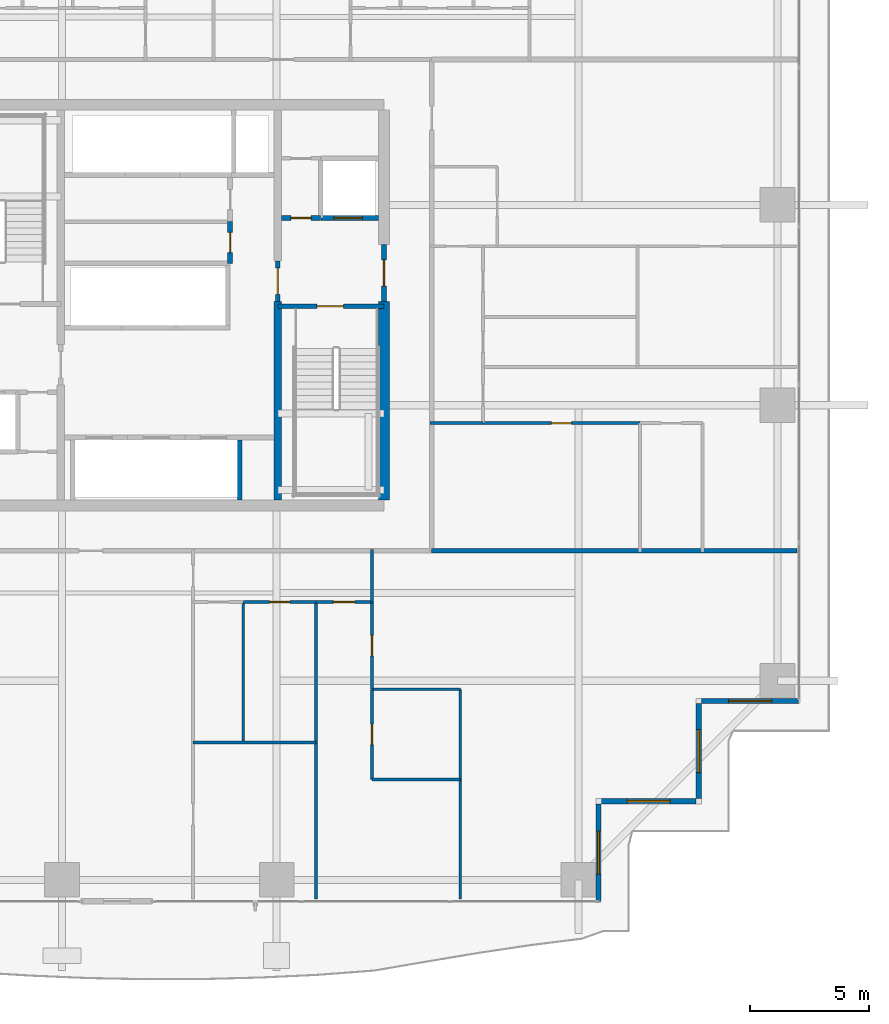
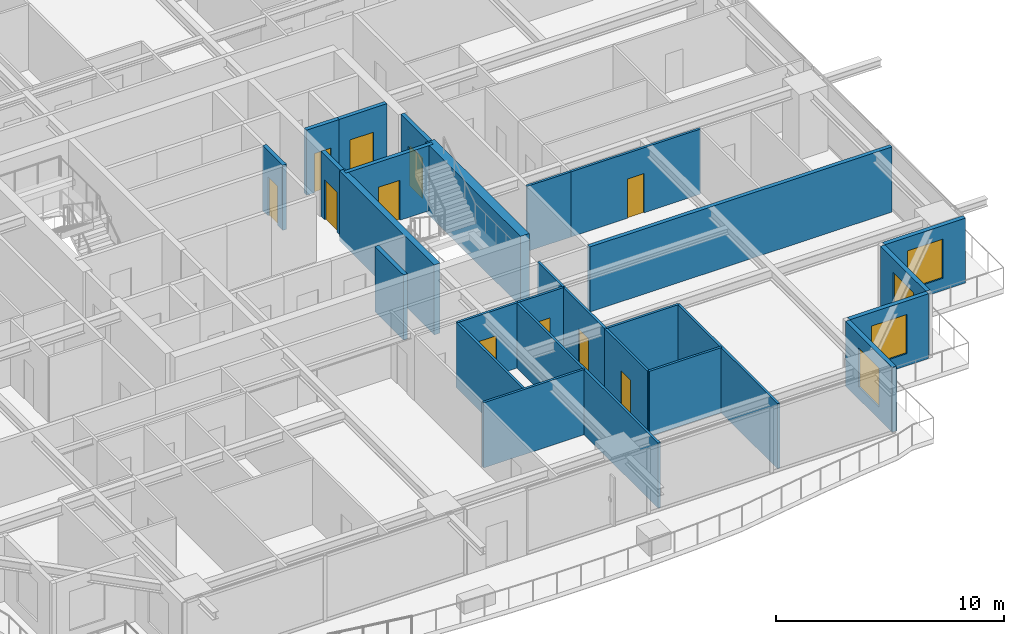
# One storey, part 29 of 41: 27 walls, 11 doors, 4 windows, 15 openings.
"""IFC4 building model written with IfcOpenShell, lengths in metres."""

from ifc_helpers import new_model, si_unit, direction, frame, frame_2d, origin, place, context, subcontext, project, spatial, rectangle, extrude, source, transform, mapped, material, layer, layer_set, type_object, element, fill, save


model = new_model("IFC4")

# Units and contexts
model_context = context("Model", 3, precision=1e-05, world=origin(), true_north=direction((0.0, 1.0)))
body_context = subcontext(model_context, "Body", "Model", "MODEL_VIEW")
ifc_project = project(units=[si_unit("LENGTHUNIT", "METRE"), si_unit("AREAUNIT", "SQUARE_METRE"), si_unit("VOLUMEUNIT", "CUBIC_METRE"), si_unit("PLANEANGLEUNIT", "RADIAN"), si_unit("MASSUNIT", "GRAM", prefix="KILO")], contexts=[model_context])

# Site, building, storey
site_placement = place(None, origin())
site = spatial("IfcSite", under=ifc_project, at=site_placement, CompositionType="ELEMENT")
building_placement = place(site_placement, origin())
building = spatial("IfcBuilding", under=site, at=building_placement, Name="Serunith Strait Residences", CompositionType="ELEMENT")
storey_placement = place(building_placement, frame((0.0, 0.0, 75.449951171875)))
storey = spatial("IfcBuildingStorey", under=building, at=storey_placement, Name="L18", CompositionType="ELEMENT", Elevation=75.449951171875)

# Wall, opening, window
ifc_material_1 = material(Name="Pale-Champagne Aluminium Insulated Panel", Category="aluminium")
ifc_layer_1 = layer(ifc_material_1, 0.219970703125, Name="Pale-Champagne Aluminium Insulated Panel")
ifc_layer_set_1 = layer_set([ifc_layer_1], Name="Pale-Champagne Aluminium Insulated Panel")
wall_type_1 = type_object("IfcWallType", Name="EW-ALUM-220", PredefinedType="ELEMENTEDWALL", material=ifc_layer_set_1)
wall_1_placement = place(storey_placement, frame((50.39990234375, 0.199951171875, 0.0), z_axis=(0.0, 0.0, 1.0), x_axis=(0.0, 1.0, 0.0)))
wall_1 = element("IfcWall", 1, at=wall_1_placement, inside=storey, type_object=wall_type_1, Name="L18 Girih Serrated Corner Wall 02", PredefinedType="ELEMENTEDWALL", context=body_context, shape_type="SweptSolid", body=[
    extrude(rectangle(XDim=4.090087890625, YDim=0.219970703125, at=frame_2d((2.044921875, 0.0))), origin(), (0.0, 0.0, 1.0), 3.47509765625),
])
opening_1_placement = place(wall_1_placement, frame((1.14501953125, 0.0, 0.64990234375)))
opening_1 = element("IfcOpeningElement", 2, at=opening_1_placement, cuts=wall_1, Name="Opening W-01", PredefinedType="OPENING", context=body_context, shape_type="SweptSolid", body=[
    extrude(rectangle(XDim=1.800048828125, YDim=2.10009765625, at=frame_2d((0.89990234375, 1.050048828125))), frame((0.0, 0.1201171875, 0.0), z_axis=(0.0, -1.0, 0.0), x_axis=(1.0, 0.0, 0.0)), (0.0, 0.0, 1.0), 0.239990234375),
])
ifc_material_2 = material(Name="Ceramic-Fritted Operable Aluminium Window Glass", Category="aluminium")
window_type = type_object("IfcWindowType", Name="WIN-C1", PartitioningType="DOUBLE_PANEL_VERTICAL", PredefinedType="WINDOW", material=ifc_material_2)
shared_shape_1 = source(origin(), body_context, "Body", "SweptSolid", [
    extrude(rectangle(XDim=1.800048828125, YDim=2.10009765625, at=frame_2d((0.89990234375, 1.050048828125))), frame((0.0, 0.030029296875, 0.0), z_axis=(0.0, -1.0, 0.0), x_axis=(1.0, 0.0, 0.0)), (0.0, 0.0, 1.0), 0.06005859375),
])
window_1_placement = place(opening_1_placement, origin())
window_1 = element("IfcWindow", 3, at=window_1_placement, inside=storey, type_object=window_type, Name="L18 Corner Operable Fritted Window 02", OverallHeight=2.10009765625, OverallWidth=1.800048828125, PartitioningType="SINGLE_PANEL", PredefinedType="WINDOW", context=body_context, shape_type="MappedRepresentation", body=[
    mapped(shared_shape_1, transform((0.0, 0.0, 0.0), scale=1.0)),
])
fill(opening_1, window_1)

wall_2_placement = place(storey_placement, frame((50.510009765625, 4.39990234375, 0.0), z_axis=(0.0, 0.0, 1.0), x_axis=(1.0, 0.0, 0.0)))
wall_2 = element("IfcWall", 4, at=wall_2_placement, inside=storey, type_object=wall_type_1, Name="L18 Girih Serrated Corner Wall 03", PredefinedType="ELEMENTEDWALL", context=body_context, shape_type="SweptSolid", body=[
    extrude(rectangle(XDim=3.97998046875, YDim=0.219970703125, at=frame_2d((1.989990234375, 0.0))), origin(), (0.0, 0.0, 1.0), 3.47509765625),
])
opening_2_placement = place(wall_2_placement, frame((1.090087890625, 0.0, 0.64990234375)))
opening_2 = element("IfcOpeningElement", 5, at=opening_2_placement, cuts=wall_2, Name="Opening W-01", PredefinedType="OPENING", context=body_context, shape_type="SweptSolid", body=[
    extrude(rectangle(XDim=1.800048828125, YDim=2.10009765625, at=frame_2d((0.89990234375, 1.050048828125))), frame((0.0, 0.1201171875, 0.0), z_axis=(0.0, -1.0, 0.0), x_axis=(1.0, 0.0, 0.0)), (0.0, 0.0, 1.0), 0.239990234375),
])
window_2_placement = place(opening_2_placement, origin())
window_2 = element("IfcWindow", 6, at=window_2_placement, inside=storey, type_object=window_type, Name="L18 Corner Operable Fritted Window 03", OverallHeight=2.10009765625, OverallWidth=1.800048828125, PartitioningType="SINGLE_PANEL", PredefinedType="WINDOW", context=body_context, shape_type="MappedRepresentation", body=[
    mapped(shared_shape_1, transform((0.0, 0.0, 0.0), scale=1.0)),
])
fill(opening_2, window_2)

wall_3_placement = place(storey_placement, frame((54.60009765625, 4.510009765625, 0.0), z_axis=(0.0, 0.0, 1.0), x_axis=(0.0, 1.0, 0.0)))
wall_3 = element("IfcWall", 7, at=wall_3_placement, inside=storey, type_object=wall_type_1, Name="L18 Girih Serrated Corner Wall 04", PredefinedType="ELEMENTEDWALL", context=body_context, shape_type="SweptSolid", body=[
    extrude(rectangle(XDim=3.97998046875, YDim=0.219970703125, at=frame_2d((1.989990234375, 0.0))), origin(), (0.0, 0.0, 1.0), 3.47509765625),
])
opening_3_placement = place(wall_3_placement, frame((1.090087890625, 0.0, 0.64990234375)))
opening_3 = element("IfcOpeningElement", 8, at=opening_3_placement, cuts=wall_3, Name="Opening W-01", PredefinedType="OPENING", context=body_context, shape_type="SweptSolid", body=[
    extrude(rectangle(XDim=1.800048828125, YDim=2.10009765625, at=frame_2d((0.89990234375, 1.050048828125))), frame((0.0, 0.1201171875, 0.0), z_axis=(0.0, -1.0, 0.0), x_axis=(1.0, 0.0, 0.0)), (0.0, 0.0, 1.0), 0.239990234375),
])
window_3_placement = place(opening_3_placement, origin())
window_3 = element("IfcWindow", 9, at=window_3_placement, inside=storey, type_object=window_type, Name="L18 Corner Operable Fritted Window 04", OverallHeight=2.10009765625, OverallWidth=1.800048828125, PartitioningType="SINGLE_PANEL", PredefinedType="WINDOW", context=body_context, shape_type="MappedRepresentation", body=[
    mapped(shared_shape_1, transform((0.0, 0.0, 0.0), scale=1.0)),
])
fill(opening_3, window_3)

wall_4_placement = place(storey_placement, frame((54.7099609375, 8.60009765625, 0.0), z_axis=(0.0, 0.0, 1.0), x_axis=(1.0, 0.0, 0.0)))
wall_4 = element("IfcWall", 10, at=wall_4_placement, inside=storey, type_object=wall_type_1, Name="L18 Girih Serrated Corner Wall 05", PredefinedType="ELEMENTEDWALL", context=body_context, shape_type="SweptSolid", body=[
    extrude(rectangle(XDim=4.090087890625, YDim=0.219970703125, at=frame_2d((2.044921875, 0.0))), origin(), (0.0, 0.0, 1.0), 3.47509765625),
])
opening_4_placement = place(wall_4_placement, frame((1.14501953125, 0.0, 0.64990234375)))
opening_4 = element("IfcOpeningElement", 11, at=opening_4_placement, cuts=wall_4, Name="Opening W-01", PredefinedType="OPENING", context=body_context, shape_type="SweptSolid", body=[
    extrude(rectangle(XDim=1.800048828125, YDim=2.10009765625, at=frame_2d((0.89990234375, 1.050048828125))), frame((0.0, 0.1201171875, 0.0), z_axis=(0.0, -1.0, 0.0), x_axis=(1.0, 0.0, 0.0)), (0.0, 0.0, 1.0), 0.239990234375),
])
window_4_placement = place(opening_4_placement, origin())
window_4 = element("IfcWindow", 12, at=window_4_placement, inside=storey, type_object=window_type, Name="L18 Corner Operable Fritted Window 05", OverallHeight=2.10009765625, OverallWidth=1.800048828125, PartitioningType="SINGLE_PANEL", PredefinedType="WINDOW", context=body_context, shape_type="MappedRepresentation", body=[
    mapped(shared_shape_1, transform((0.0, 0.0, 0.0), scale=1.0)),
])
fill(opening_4, window_4)

# Walls
ifc_material_3 = material(Name="Lightweight steel-stud gypsum partition", Category="steel")
ifc_layer_2 = layer(ifc_material_3, 0.1201171875, Name="Lightweight steel-stud gypsum partition")
ifc_layer_set_2 = layer_set([ifc_layer_2], Name="Lightweight steel-stud gypsum partition")
wall_type_2 = type_object("IfcWallType", Name="IW-PART-120", PredefinedType="PARTITIONING", material=ifc_layer_set_2)
wall_5_placement = place(storey_placement, frame((33.39990234375, 6.860107421875, 0.0), z_axis=(0.0, 0.0, 1.0), x_axis=(1.0, 0.0, 0.0)))
element("IfcWall", 13, at=wall_5_placement, inside=storey, type_object=wall_type_2, Name="L18 Partition Wall 043", PredefinedType="PARTITIONING", context=body_context, shape_type="SweptSolid", body=[
    extrude(rectangle(XDim=5.150146484375, YDim=0.1201171875, at=frame_2d((2.5751953125, 0.0))), origin(), (0.0, 0.0, 1.0), 3.489990234375),
])
wall_6_placement = place(storey_placement, frame((38.550048828125, 0.294921875, 0.0), z_axis=(0.0, 0.0, 1.0), x_axis=(0.0, 1.0, 0.0)))
element("IfcWall", 14, at=wall_6_placement, inside=storey, type_object=wall_type_2, Name="L18 Partition Wall 044", PredefinedType="PARTITIONING", context=body_context, shape_type="SweptSolid", body=[
    extrude(rectangle(XDim=12.455078125, YDim=0.1201171875, at=frame_2d((6.2275390625, 0.0))), origin(), (0.0, 0.0, 1.0), 3.489990234375),
])
wall_7_placement = place(storey_placement, frame((35.5, 6.860107421875, 0.0), z_axis=(0.0, 0.0, 1.0), x_axis=(0.0, 1.0, 0.0)))
element("IfcWall", 15, at=wall_7_placement, inside=storey, type_object=wall_type_2, Name="L18 Partition Wall 045", PredefinedType="PARTITIONING", context=body_context, shape_type="SweptSolid", body=[
    extrude(rectangle(XDim=5.889892578125, YDim=0.1201171875, at=frame_2d((2.94482421875, 0.0))), origin(), (0.0, 0.0, 1.0), 3.489990234375),
])

# Wall, opening, door
wall_8_placement = place(storey_placement, frame((35.501953125, 12.75, 0.0), z_axis=(0.0, 0.0, 1.0), x_axis=(1.0, 0.0, 0.0)))
wall_8 = element("IfcWall", 16, at=wall_8_placement, inside=storey, type_object=wall_type_2, Name="L18 Partition Wall 047", PredefinedType="PARTITIONING", context=body_context, shape_type="SweptSolid", body=[
    extrude(rectangle(XDim=3.048095703125, YDim=0.1201171875, at=frame_2d((1.52392578125, 0.0))), origin(), (0.0, 0.0, 1.0), 3.489990234375),
])
opening_5_placement = place(wall_8_placement, frame((1.09912109375, 0.0, 0.0)))
opening_5 = element("IfcOpeningElement", 17, at=opening_5_placement, cuts=wall_8, Name="Opening D-RM850", PredefinedType="OPENING", context=body_context, shape_type="SweptSolid", body=[
    extrude(rectangle(XDim=0.85009765625, YDim=2.10009765625, at=frame_2d((0.425048828125, 1.050048828125))), frame((0.0, 0.070068359375, 0.0), z_axis=(0.0, -1.0, 0.0), x_axis=(1.0, 0.0, 0.0)), (0.0, 0.0, 1.0), 0.14013671875),
])
ifc_material_4 = material(Name="Engineered timber flush study and kitchen door", Category="wood")
door_type_1 = type_object("IfcDoorType", Name="ID-ROOM-850", OperationType="NOTDEFINED", PredefinedType="DOOR", material=ifc_material_4)
shared_shape_2 = source(origin(), body_context, "Body", "SweptSolid", [
    extrude(rectangle(XDim=0.85009765625, YDim=2.10009765625, at=frame_2d((0.425048828125, 1.050048828125))), frame((0.0, 0.02490234375, 0.0), z_axis=(0.0, -1.0, 0.0), x_axis=(1.0, 0.0, 0.0)), (0.0, 0.0, 1.0), 0.050048828125),
])
door_1_placement = place(opening_5_placement, origin())
door_1 = element("IfcDoor", 18, at=door_1_placement, inside=storey, type_object=door_type_1, Name="L18 Formal Dining Room 1801 Door", OperationType="SINGLE_SWING_RIGHT", OverallHeight=2.10009765625, OverallWidth=0.85009765625, PredefinedType="DOOR", context=body_context, shape_type="MappedRepresentation", body=[
    mapped(shared_shape_2, transform((0.0, 0.0, 0.0), scale=1.0)),
])
fill(opening_5, door_1)

wall_9_placement = place(storey_placement, frame((38.552001953125, 12.75, 0.0), z_axis=(0.0, 0.0, 1.0), x_axis=(1.0, 0.0, 0.0)))
wall_9 = element("IfcWall", 19, at=wall_9_placement, inside=storey, type_object=wall_type_2, Name="L18 Partition Wall 048", PredefinedType="PARTITIONING", context=body_context, shape_type="SweptSolid", body=[
    extrude(rectangle(XDim=2.347900390625, YDim=0.1201171875, at=frame_2d((1.173828125, 0.0))), origin(), (0.0, 0.0, 1.0), 3.489990234375),
])
opening_6_placement = place(wall_9_placement, frame((0.72412109375, 0.0, 0.0)))
opening_6 = element("IfcOpeningElement", 20, at=opening_6_placement, cuts=wall_9, Name="Opening D-RM900", PredefinedType="OPENING", context=body_context, shape_type="SweptSolid", body=[
    extrude(rectangle(XDim=0.89990234375, YDim=2.10009765625, at=frame_2d((0.449951171875, 1.050048828125))), frame((0.0, 0.070068359375, 0.0), z_axis=(0.0, -1.0, 0.0), x_axis=(1.0, 0.0, 0.0)), (0.0, 0.0, 1.0), 0.14013671875),
])
ifc_material_5 = material(Name="Engineered timber flush bedroom door", Category="wood")
door_type_2 = type_object("IfcDoorType", Name="ID-ROOM-900", OperationType="NOTDEFINED", PredefinedType="DOOR", material=ifc_material_5)
shared_shape_3 = source(origin(), body_context, "Body", "SweptSolid", [
    extrude(rectangle(XDim=0.89990234375, YDim=2.10009765625, at=frame_2d((0.449951171875, 1.050048828125))), frame((0.0, 0.02490234375, 0.0), z_axis=(0.0, -1.0, 0.0), x_axis=(1.0, 0.0, 0.0)), (0.0, 0.0, 1.0), 0.050048828125),
])
door_2_placement = place(opening_6_placement, origin())
door_2 = element("IfcDoor", 21, at=door_2_placement, inside=storey, type_object=door_type_2, Name="L18 Master Bedroom E 1801 Door", OperationType="SINGLE_SWING_LEFT", OverallHeight=2.10009765625, OverallWidth=0.89990234375, PredefinedType="DOOR", context=body_context, shape_type="MappedRepresentation", body=[
    mapped(shared_shape_3, transform((0.0, 0.0, 0.0), scale=1.0)),
])
fill(opening_6, door_2)

# Walls
wall_10_placement = place(storey_placement, frame((40.89990234375, 5.30908203125, 0.0), z_axis=(0.0, 0.0, 1.0), x_axis=(1.0, 0.0, 0.0)))
element("IfcWall", 22, at=wall_10_placement, inside=storey, type_object=wall_type_2, Name="L18 Partition Wall 049", PredefinedType="PARTITIONING", context=body_context, shape_type="SweptSolid", body=[
    extrude(rectangle(XDim=3.7001953125, YDim=0.1201171875, at=frame_2d((1.85009765625, 0.0))), origin(), (0.0, 0.0, 1.0), 3.489990234375),
])
wall_11_placement = place(storey_placement, frame((44.60009765625, 0.294921875, 0.0), z_axis=(0.0, 0.0, 1.0), x_axis=(0.0, 1.0, 0.0)))
element("IfcWall", 23, at=wall_11_placement, inside=storey, type_object=wall_type_2, Name="L18 Partition Wall 050", PredefinedType="PARTITIONING", context=body_context, shape_type="SweptSolid", body=[
    extrude(rectangle(XDim=8.798095703125, YDim=0.1201171875, at=frame_2d((4.39892578125, 0.0))), origin(), (0.0, 0.0, 1.0), 3.489990234375),
])
wall_12_placement = place(storey_placement, frame((40.89990234375, 9.093017578125, 0.0), z_axis=(0.0, 0.0, 1.0), x_axis=(1.0, 0.0, 0.0)))
element("IfcWall", 24, at=wall_12_placement, inside=storey, type_object=wall_type_2, Name="L18 Partition Wall 051", PredefinedType="PARTITIONING", context=body_context, shape_type="SweptSolid", body=[
    extrude(rectangle(XDim=3.7001953125, YDim=0.1201171875, at=frame_2d((1.85009765625, 0.0))), origin(), (0.0, 0.0, 1.0), 3.489990234375),
])

# Wall, opening, door
wall_13_placement = place(storey_placement, frame((40.89990234375, 5.30908203125, 0.0), z_axis=(0.0, 0.0, 1.0), x_axis=(0.0, 1.0, 0.0)))
wall_13 = element("IfcWall", 25, at=wall_13_placement, inside=storey, type_object=wall_type_2, Name="L18 Partition Wall 052", PredefinedType="PARTITIONING", context=body_context, shape_type="SweptSolid", body=[
    extrude(rectangle(XDim=3.783935546875, YDim=0.1201171875, at=frame_2d((1.89208984375, 0.0))), origin(), (0.0, 0.0, 1.0), 3.489990234375),
])
opening_7_placement = place(wall_13_placement, frame((1.467041015625, 0.0, 0.0)))
opening_7 = element("IfcOpeningElement", 26, at=opening_7_placement, cuts=wall_13, Name="Opening D-BTH850", PredefinedType="OPENING", context=body_context, shape_type="SweptSolid", body=[
    extrude(rectangle(XDim=0.85009765625, YDim=2.10009765625, at=frame_2d((0.425048828125, 1.050048828125))), frame((0.0, 0.070068359375, 0.0), z_axis=(0.0, -1.0, 0.0), x_axis=(1.0, 0.0, 0.0)), (0.0, 0.0, 1.0), 0.14013671875),
])
ifc_material_6 = material(Name="Moisture-resistant timber bathroom door", Category="wood")
door_type_3 = type_object("IfcDoorType", Name="ID-BATH-850", OperationType="NOTDEFINED", PredefinedType="DOOR", material=ifc_material_6)
door_3_placement = place(opening_7_placement, origin())
door_3 = element("IfcDoor", 27, at=door_3_placement, inside=storey, type_object=door_type_3, Name="L18 En-suite Bathroom E 1801 Door", OperationType="SINGLE_SWING_RIGHT", OverallHeight=2.10009765625, OverallWidth=0.85009765625, PredefinedType="DOOR", context=body_context, shape_type="MappedRepresentation", body=[
    mapped(shared_shape_2, transform((0.0, 0.0, 0.0), scale=1.0)),
])
fill(opening_7, door_3)

wall_14_placement = place(storey_placement, frame((40.89990234375, 9.094970703125, 0.0), z_axis=(0.0, 0.0, 1.0), x_axis=(0.0, 1.0, 0.0)))
wall_14 = element("IfcWall", 28, at=wall_14_placement, inside=storey, type_object=wall_type_2, Name="L18 Partition Wall 053", PredefinedType="PARTITIONING", context=body_context, shape_type="SweptSolid", body=[
    extrude(rectangle(XDim=3.655029296875, YDim=0.1201171875, at=frame_2d((1.82763671875, 0.0))), origin(), (0.0, 0.0, 1.0), 3.489990234375),
])
opening_8_placement = place(wall_14_placement, frame((1.402099609375, 0.0, 0.0)))
opening_8 = element("IfcOpeningElement", 29, at=opening_8_placement, cuts=wall_14, Name="Opening D-RM850", PredefinedType="OPENING", context=body_context, shape_type="SweptSolid", body=[
    extrude(rectangle(XDim=0.85009765625, YDim=2.10009765625, at=frame_2d((0.425048828125, 1.050048828125))), frame((0.0, 0.070068359375, 0.0), z_axis=(0.0, -1.0, 0.0), x_axis=(1.0, 0.0, 0.0)), (0.0, 0.0, 1.0), 0.14013671875),
])
door_4_placement = place(opening_8_placement, origin())
door_4 = element("IfcDoor", 30, at=door_4_placement, inside=storey, type_object=door_type_1, Name="L18 Wardrobe E 1801 Door", OperationType="SINGLE_SWING_LEFT", OverallHeight=2.10009765625, OverallWidth=0.85009765625, PredefinedType="DOOR", context=body_context, shape_type="MappedRepresentation", body=[
    mapped(shared_shape_2, transform((0.0, 0.0, 0.0), scale=1.0)),
])
fill(opening_8, door_4)

# Wall
wall_15_placement = place(storey_placement, frame((40.89990234375, 12.751953125, 0.0), z_axis=(0.0, 0.0, 1.0), x_axis=(0.0, 1.0, 0.0)))
element("IfcWall", 31, at=wall_15_placement, inside=storey, type_object=wall_type_2, Name="L18 Partition Wall 054", PredefinedType="PARTITIONING", context=body_context, shape_type="SweptSolid", body=[
    extrude(rectangle(XDim=2.2080078125, YDim=0.1201171875, at=frame_2d((1.10400390625, 0.0))), origin(), (0.0, 0.0, 1.0), 3.489990234375),
])

# Wall, opening, door
wall_16_placement = place(storey_placement, frame((52.131103515625, 20.25, 0.0), z_axis=(0.0, 0.0, 1.0), x_axis=(-1.0, 0.0, 0.0)))
wall_16 = element("IfcWall", 32, at=wall_16_placement, inside=storey, type_object=wall_type_2, Name="L18 Partition Wall 117", PredefinedType="PARTITIONING", context=body_context, shape_type="SweptSolid", body=[
    extrude(rectangle(XDim=6.5810546875, YDim=0.1201171875, at=frame_2d((3.29052734375, 0.0))), origin(), (0.0, 0.0, 1.0), 3.489990234375),
])
opening_9_placement = place(wall_16_placement, frame((2.865966796875, 0.0, 0.0)))
opening_9 = element("IfcOpeningElement", 33, at=opening_9_placement, cuts=wall_16, Name="Opening D-RM850", PredefinedType="OPENING", context=body_context, shape_type="SweptSolid", body=[
    extrude(rectangle(XDim=0.85009765625, YDim=2.10009765625, at=frame_2d((0.425048828125, 1.050048828125))), frame((0.0, 0.070068359375, 0.0), z_axis=(0.0, -1.0, 0.0), x_axis=(1.0, 0.0, 0.0)), (0.0, 0.0, 1.0), 0.14013671875),
])
door_5_placement = place(opening_9_placement, origin())
door_5 = element("IfcDoor", 34, at=door_5_placement, inside=storey, type_object=door_type_1, Name="L18 Wardrobe W 1804 Door", OperationType="SINGLE_SWING_RIGHT", OverallHeight=2.10009765625, OverallWidth=0.85009765625, PredefinedType="DOOR", context=body_context, shape_type="MappedRepresentation", body=[
    mapped(shared_shape_2, transform((0.0, 0.0, 0.0), scale=1.0)),
])
fill(opening_9, door_5)

# Walls
wall_17_placement = place(storey_placement, frame((45.548095703125, 20.25, 0.0), z_axis=(0.0, 0.0, 1.0), x_axis=(-1.0, 0.0, 0.0)))
element("IfcWall", 35, at=wall_17_placement, inside=storey, type_object=wall_type_2, Name="L18 Partition Wall 118", PredefinedType="PARTITIONING", context=body_context, shape_type="SweptSolid", body=[
    extrude(rectangle(XDim=2.2080078125, YDim=0.1201171875, at=frame_2d((1.10400390625, 0.0))), origin(), (0.0, 0.0, 1.0), 3.489990234375),
])
ifc_material_7 = material(Name="Twin-stud acoustic gypsum board partition")
ifc_layer_3 = layer(ifc_material_7, 0.199951171875, Name="Twin-stud acoustic gypsum board partition")
ifc_layer_set_3 = layer_set([ifc_layer_3], Name="Twin-stud acoustic gypsum board partition")
wall_type_3 = type_object("IfcWallType", Name="IW-PARTY-200", PredefinedType="PARTITIONING", material=ifc_layer_set_3)
wall_18_placement = place(storey_placement, frame((43.39990234375, 14.89990234375, 0.0), z_axis=(0.0, 0.0, 1.0), x_axis=(1.0, 0.0, 0.0)))
element("IfcWall", 36, at=wall_18_placement, inside=storey, type_object=wall_type_3, Name="L18 Partition Wall 018", PredefinedType="PARTITIONING", context=body_context, shape_type="SweptSolid", body=[
    extrude(rectangle(XDim=15.318115234375, YDim=0.199951171875, at=frame_2d((7.6591796875, 0.0))), origin(), (0.0, 0.0, 1.0), 3.489990234375),
])

# Wall, opening, door
ifc_material_8 = material(Name="Autoclaved aerated concrete blockwork", Category="masonry")
ifc_layer_4 = layer(ifc_material_8, 0.199951171875, Name="Autoclaved aerated concrete blockwork")
ifc_layer_set_4 = layer_set([ifc_layer_4], Name="Autoclaved aerated concrete blockwork")
wall_type_4 = type_object("IfcWallType", Name="IW-SHAFT-200", PredefinedType="STANDARD", material=ifc_layer_set_4)
wall_19_placement = place(storey_placement, frame((36.949951171875, 25.14990234375, 0.0), z_axis=(0.0, 0.0, 1.0), x_axis=(1.0, 0.0, 0.0)))
wall_19 = element("IfcWall", 37, at=wall_19_placement, inside=storey, type_object=wall_type_4, Name="L18 ST-2 North Shaft Wall", PredefinedType="STANDARD", context=body_context, shape_type="SweptSolid", body=[
    extrude(rectangle(XDim=4.449951171875, YDim=0.199951171875, at=frame_2d((2.22509765625, 0.0))), origin(), (0.0, 0.0, 1.0), 3.489990234375),
])
opening_10_placement = place(wall_19_placement, frame((1.64990234375, 0.0, 0.0)))
opening_10 = element("IfcOpeningElement", 38, at=opening_10_placement, cuts=wall_19, Name="Opening FD-1100", PredefinedType="OPENING", context=body_context, shape_type="SweptSolid", body=[
    extrude(rectangle(XDim=1.10009765625, YDim=2.14990234375, at=frame_2d((0.550048828125, 1.074951171875))), frame((0.0, 0.10986328125, 0.0), z_axis=(0.0, -1.0, 0.0), x_axis=(1.0, 0.0, 0.0)), (0.0, 0.0, 1.0), 0.219970703125),
])
ifc_material_9 = material(Name="Galvanised steel fire door leaf", Category="steel")
door_type_4 = type_object("IfcDoorType", Name="FD-STAIR-1100", OperationType="NOTDEFINED", PredefinedType="DOOR", material=ifc_material_9)
shared_shape_4 = source(origin(), body_context, "Body", "SweptSolid", [
    extrude(rectangle(XDim=1.10009765625, YDim=2.14990234375, at=frame_2d((0.550048828125, 1.074951171875))), frame((0.0, 0.02490234375, 0.0), z_axis=(0.0, -1.0, 0.0), x_axis=(1.0, 0.0, 0.0)), (0.0, 0.0, 1.0), 0.050048828125),
])
door_6_placement = place(opening_10_placement, origin())
door_6 = element("IfcDoor", 39, at=door_6_placement, inside=storey, type_object=door_type_4, Name="L18 ST-2 Escape Stair Door", OperationType="SINGLE_SWING_LEFT", OverallHeight=2.14990234375, OverallWidth=1.10009765625, PredefinedType="DOOR", context=body_context, shape_type="MappedRepresentation", body=[
    mapped(shared_shape_4, transform((0.0, 0.0, 0.0), scale=1.0)),
])
fill(opening_10, door_6)

wall_20_placement = place(storey_placement, frame((38.75, 28.85009765625, 0.0), z_axis=(0.0, 0.0, 1.0), x_axis=(1.0, 0.0, 0.0)))
wall_20 = element("IfcWall", 40, at=wall_20_placement, inside=storey, type_object=wall_type_4, Name="L18 FL-2 South Shaft Wall", PredefinedType="STANDARD", context=body_context, shape_type="SweptSolid", body=[
    extrude(rectangle(XDim=2.425048828125, YDim=0.199951171875, at=frame_2d((1.21240234375, 0.0))), origin(), (0.0, 0.0, 1.0), 3.489990234375),
])
opening_11_placement = place(wall_20_placement, frame((0.550048828125, 0.0, 0.0)))
opening_11 = element("IfcOpeningElement", 41, at=opening_11_placement, cuts=wall_20, Name="Opening LD-FF1200", PredefinedType="OPENING", context=body_context, shape_type="SweptSolid", body=[
    extrude(rectangle(XDim=1.199951171875, YDim=2.199951171875, at=frame_2d((0.60009765625, 1.10009765625))), frame((0.0, 0.10986328125, 0.0), z_axis=(0.0, -1.0, 0.0), x_axis=(1.0, 0.0, 0.0)), (0.0, 0.0, 1.0), 0.219970703125),
])
ifc_material_10 = material(Name="Brushed stainless steel landing door", Category="steel")
door_type_5 = type_object("IfcDoorType", Name="LD-FF-1200", OperationType="DOUBLE_DOOR_SLIDING", PredefinedType="DOOR", material=ifc_material_10)
shared_shape_5 = source(origin(), body_context, "Body", "SweptSolid", [
    extrude(rectangle(XDim=1.199951171875, YDim=2.199951171875, at=frame_2d((0.60009765625, 1.10009765625))), frame((0.0, 0.02490234375, 0.0), z_axis=(0.0, -1.0, 0.0), x_axis=(1.0, 0.0, 0.0)), (0.0, 0.0, 1.0), 0.050048828125),
])
door_7_placement = place(opening_11_placement, origin())
door_7 = element("IfcDoor", 42, at=door_7_placement, inside=storey, type_object=door_type_5, Name="L18 FL-2 Landing Door", OperationType="DOUBLE_DOOR_SLIDING", OverallHeight=2.199951171875, OverallWidth=1.199951171875, PredefinedType="DOOR", context=body_context, shape_type="MappedRepresentation", body=[
    mapped(shared_shape_5, transform((0.0, 0.0, 0.0), scale=1.0)),
])
fill(opening_11, door_7)

# Wall
wall_21_placement = place(storey_placement, frame((35.35009765625, 17.02490234375, 0.0), z_axis=(0.0, 0.0, 1.0), x_axis=(0.0, 1.0, 0.0)))
element("IfcWall", 43, at=wall_21_placement, inside=storey, type_object=wall_type_4, Name="L18 PL-3 East Shaft Wall", PredefinedType="STANDARD", context=body_context, shape_type="SweptSolid", body=[
    extrude(rectangle(XDim=2.525146484375, YDim=0.199951171875, at=frame_2d((1.2626953125, 0.0))), origin(), (0.0, 0.0, 1.0), 3.489990234375),
])

# Wall, opening, door
wall_22_placement = place(storey_placement, frame((37.10009765625, 28.85009765625, 0.0), z_axis=(0.0, 0.0, 1.0), x_axis=(1.0, 0.0, 0.0)))
wall_22 = element("IfcWall", 44, at=wall_22_placement, inside=storey, type_object=wall_type_4, Name="L18 Partition Wall 006", PredefinedType="STANDARD", context=body_context, shape_type="SweptSolid", body=[
    extrude(rectangle(XDim=1.64794921875, YDim=0.199951171875, at=frame_2d((0.823974609375, 0.0))), origin(), (0.0, 0.0, 1.0), 3.489990234375),
])
opening_12_placement = place(wall_22_placement, frame((0.39892578125, 0.0, 0.0)))
opening_12 = element("IfcOpeningElement", 45, at=opening_12_placement, cuts=wall_22, Name="Opening FD-850", PredefinedType="OPENING", context=body_context, shape_type="SweptSolid", body=[
    extrude(rectangle(XDim=0.85009765625, YDim=2.10009765625, at=frame_2d((0.425048828125, 1.050048828125))), frame((0.0, 0.10986328125, 0.0), z_axis=(0.0, -1.0, 0.0), x_axis=(1.0, 0.0, 0.0)), (0.0, 0.0, 1.0), 0.219970703125),
])
ifc_material_11 = material(Name="Powder-coated steel service closet door", Category="steel")
door_type_6 = type_object("IfcDoorType", Name="FD-BOH-850", OperationType="NOTDEFINED", PredefinedType="DOOR", material=ifc_material_11)
door_8_placement = place(opening_12_placement, origin())
door_8 = element("IfcDoor", 46, at=door_8_placement, inside=storey, type_object=door_type_6, Name="L18 North-East Core Service Door", OperationType="SINGLE_SWING_LEFT", OverallHeight=2.10009765625, OverallWidth=0.85009765625, PredefinedType="DOOR", context=body_context, shape_type="MappedRepresentation", body=[
    mapped(shared_shape_2, transform((0.0, 0.0, 0.0), scale=1.0)),
])
fill(opening_12, door_8)

wall_23_placement = place(storey_placement, frame((41.39990234375, 25.35205078125, 0.0), z_axis=(0.0, 0.0, 1.0), x_axis=(0.0, 1.0, 0.0)))
wall_23 = element("IfcWall", 47, at=wall_23_placement, inside=storey, type_object=wall_type_4, Name="L18 Partition Wall 008", PredefinedType="STANDARD", context=body_context, shape_type="SweptSolid", body=[
    extrude(rectangle(XDim=2.39599609375, YDim=0.199951171875, at=frame_2d((1.197998046875, 0.0))), origin(), (0.0, 0.0, 1.0), 3.489990234375),
])
opening_13_placement = place(wall_23_placement, frame((0.64794921875, 0.0, 0.0)))
opening_13 = element("IfcOpeningElement", 48, at=opening_13_placement, cuts=wall_23, Name="Opening FD-FFL", PredefinedType="OPENING", context=body_context, shape_type="SweptSolid", body=[
    extrude(rectangle(XDim=1.10009765625, YDim=2.14990234375, at=frame_2d((0.550048828125, 1.074951171875))), frame((0.0, 0.10986328125, 0.0), z_axis=(0.0, -1.0, 0.0), x_axis=(1.0, 0.0, 0.0)), (0.0, 0.0, 1.0), 0.219970703125),
])
ifc_material_12 = material(Name="Glazed steel smoke-lobby fire door", Category="steel")
door_type_7 = type_object("IfcDoorType", Name="FD-FFL-1100", OperationType="NOTDEFINED", PredefinedType="DOOR", material=ifc_material_12)
door_9_placement = place(opening_13_placement, origin())
door_9 = element("IfcDoor", 49, at=door_9_placement, inside=storey, type_object=door_type_7, Name="L18 FFL-2 Corridor Fire Door", OperationType="SINGLE_SWING_LEFT", OverallHeight=2.14990234375, OverallWidth=1.10009765625, PredefinedType="DOOR", context=body_context, shape_type="MappedRepresentation", body=[
    mapped(shared_shape_4, transform((0.0, 0.0, 0.0), scale=1.0)),
])
fill(opening_13, door_9)

wall_24_placement = place(storey_placement, frame((36.949951171875, 25.35205078125, 0.0), z_axis=(0.0, 0.0, 1.0), x_axis=(0.0, 1.0, 0.0)))
wall_24 = element("IfcWall", 50, at=wall_24_placement, inside=storey, type_object=wall_type_4, Name="L18 Partition Wall 010", PredefinedType="STANDARD", context=body_context, shape_type="SweptSolid", body=[
    extrude(rectangle(XDim=1.696044921875, YDim=0.199951171875, at=frame_2d((0.84814453125, 0.0))), origin(), (0.0, 0.0, 1.0), 3.489990234375),
])
opening_14_placement = place(wall_24_placement, frame((0.298095703125, 0.0, 0.0)))
opening_14 = element("IfcOpeningElement", 51, at=opening_14_placement, cuts=wall_24, Name="Opening FD-FFL", PredefinedType="OPENING", context=body_context, shape_type="SweptSolid", body=[
    extrude(rectangle(XDim=1.10009765625, YDim=2.14990234375, at=frame_2d((0.550048828125, 1.074951171875))), frame((0.0, 0.10986328125, 0.0), z_axis=(0.0, -1.0, 0.0), x_axis=(1.0, 0.0, 0.0)), (0.0, 0.0, 1.0), 0.219970703125),
])
door_10_placement = place(opening_14_placement, origin())
door_10 = element("IfcDoor", 52, at=door_10_placement, inside=storey, type_object=door_type_7, Name="L18 FFL-2 Lift Lobby Door", OperationType="SINGLE_SWING_LEFT", OverallHeight=2.14990234375, OverallWidth=1.10009765625, PredefinedType="DOOR", context=body_context, shape_type="MappedRepresentation", body=[
    mapped(shared_shape_4, transform((0.0, 0.0, 0.0), scale=1.0)),
])
fill(opening_14, door_10)

wall_25_placement = place(storey_placement, frame((34.949951171875, 26.949951171875, 0.0), z_axis=(0.0, 0.0, 1.0), x_axis=(0.0, 1.0, 0.0)))
wall_25 = element("IfcWall", 53, at=wall_25_placement, inside=storey, type_object=wall_type_4, Name="L18 Partition Wall 014", PredefinedType="STANDARD", context=body_context, shape_type="SweptSolid", body=[
    extrude(rectangle(XDim=1.75, YDim=0.199951171875, at=frame_2d((0.875, 0.0))), origin(), (0.0, 0.0, 1.0), 3.489990234375),
])
opening_15_placement = place(wall_25_placement, frame((0.449951171875, 0.0, 0.0)))
opening_15 = element("IfcOpeningElement", 54, at=opening_15_placement, cuts=wall_25, Name="Opening FD-850", PredefinedType="OPENING", context=body_context, shape_type="SweptSolid", body=[
    extrude(rectangle(XDim=0.85009765625, YDim=2.10009765625, at=frame_2d((0.425048828125, 1.050048828125))), frame((0.0, 0.10986328125, 0.0), z_axis=(0.0, -1.0, 0.0), x_axis=(1.0, 0.0, 0.0)), (0.0, 0.0, 1.0), 0.219970703125),
])
door_11_placement = place(opening_15_placement, origin())
door_11 = element("IfcDoor", 55, at=door_11_placement, inside=storey, type_object=door_type_6, Name="L18 Chilled Water Pump Door", OperationType="SINGLE_SWING_RIGHT", OverallHeight=2.10009765625, OverallWidth=0.85009765625, PredefinedType="DOOR", context=body_context, shape_type="MappedRepresentation", body=[
    mapped(shared_shape_2, transform((0.0, 0.0, 0.0), scale=1.0)),
])
fill(opening_15, door_11)

# Walls
ifc_material_13 = material(Name="Concrete C80/95", Category="concrete")
ifc_layer_5 = layer(ifc_material_13, 0.300048828125, Name="Concrete C80/95")
ifc_layer_set_5 = layer_set([ifc_layer_5], Name="Concrete C80/95")
wall_type_5 = type_object("IfcWallType", Name="SW-300-C80", PredefinedType="SHEAR", material=ifc_layer_set_5)
wall_26_placement = place(storey_placement, frame((36.949951171875, 17.02490234375, -0.260009765625), z_axis=(0.0, 0.0, 1.0), x_axis=(0.0, 1.0, 0.0)))
element("IfcWall", 56, at=wall_26_placement, inside=storey, type_object=wall_type_5, Name="L18 Core Internal East Web South Pier", PredefinedType="SHEAR", context=body_context, shape_type="SweptSolid", body=[
    extrude(rectangle(XDim=8.3251953125, YDim=0.300048828125, at=frame_2d((4.16259765625, 0.0))), origin(), (0.0, 0.0, 1.0), 3.748046875),
])
ifc_layer_6 = layer(ifc_material_13, 0.449951171875, Name="Concrete C80/95")
ifc_layer_set_6 = layer_set([ifc_layer_6], Name="Concrete C80/95")
wall_type_6 = type_object("IfcWallType", Name="SW-450-C80", PredefinedType="SHEAR", material=ifc_layer_set_6)
wall_27_placement = place(storey_placement, frame((41.39990234375, 17.02490234375, -0.260009765625), z_axis=(0.0, 0.0, 1.0), x_axis=(0.0, 1.0, 0.0)))
element("IfcWall", 57, at=wall_27_placement, inside=storey, type_object=wall_type_6, Name="L18 Core East Shear Wall South Pier", PredefinedType="SHEAR", context=body_context, shape_type="SweptSolid", body=[
    extrude(rectangle(XDim=8.3251953125, YDim=0.449951171875, at=frame_2d((4.16259765625, 0.0))), origin(), (0.0, 0.0, 1.0), 3.748046875),
])

save(model, "model.ifc")
